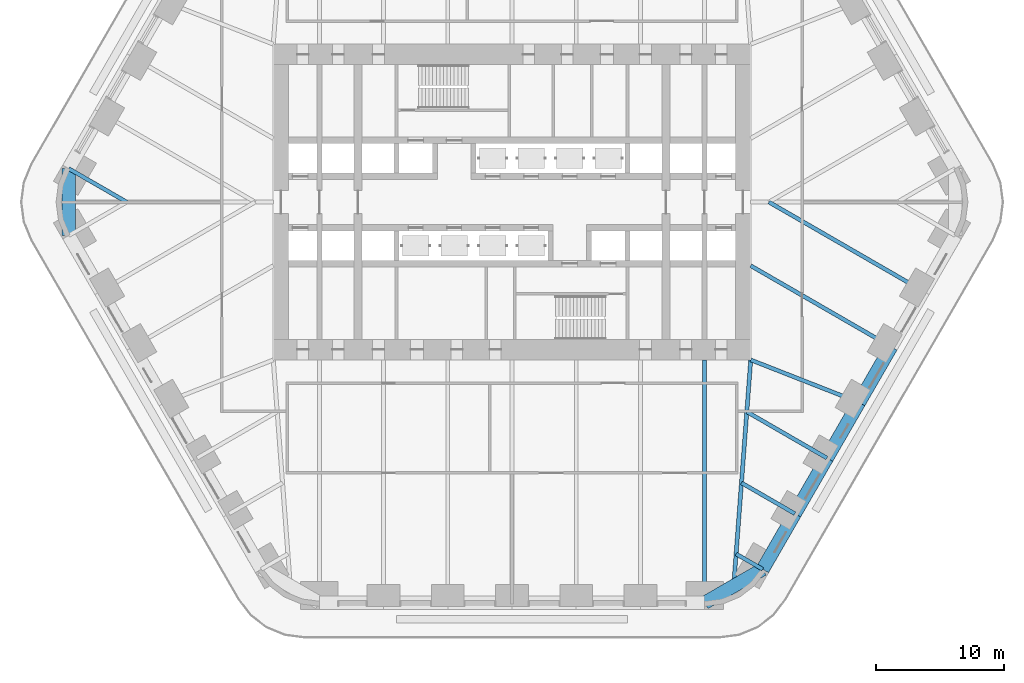
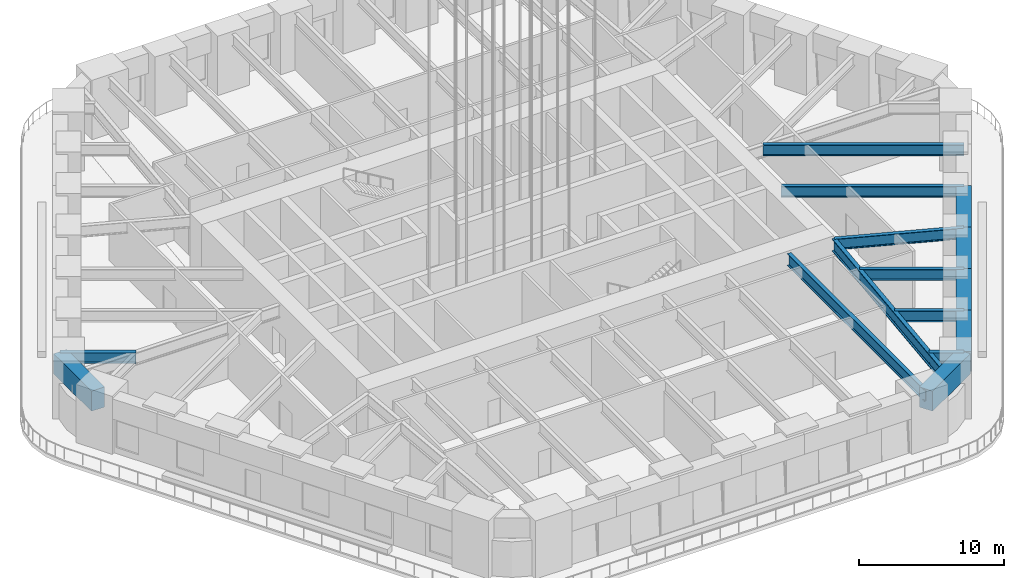
# One storey, part 3 of 15: 15 beams.
"""IFC4 building model written with IfcOpenShell, lengths in metres."""

from ifc_helpers import new_model, si_unit, direction, frame, origin, origin_2d, place, context, subcontext, project, spatial, rectangle, i_section, extrude, material, material_profile, profile_set, type_object, element, save


model = new_model("IFC4")

# Units and contexts
model_context = context("Model", 3, precision=1e-05, world=origin(), true_north=direction((0.0, 1.0)))
body_context = subcontext(model_context, "Body", "Model", "MODEL_VIEW")
ifc_project = project(units=[si_unit("LENGTHUNIT", "METRE"), si_unit("AREAUNIT", "SQUARE_METRE"), si_unit("VOLUMEUNIT", "CUBIC_METRE"), si_unit("PLANEANGLEUNIT", "RADIAN"), si_unit("MASSUNIT", "GRAM", prefix="KILO")], contexts=[model_context])

# Site, building, storey
site_placement = place(None, origin())
site = spatial("IfcSite", under=ifc_project, at=site_placement, CompositionType="ELEMENT")
building_placement = place(site_placement, origin())
building = spatial("IfcBuilding", under=site, at=building_placement, Name="Tarfa Lantern Tower", CompositionType="ELEMENT")
storey_placement = place(building_placement, frame((0.0, 0.0, 114.5)))
storey = spatial("IfcBuildingStorey", under=building, at=storey_placement, Name="L25", CompositionType="ELEMENT", Elevation=114.5)

# Beams
ifc_material_1 = material(Name="Concrete C80/95", Category="concrete")
ifc_material_profile_1 = material_profile(ifc_material_1, rectangle(XDim=1.050048828125, YDim=1.699951171875, at=origin_2d()), Name="RC 1050x1700")
ifc_profile_set_1 = profile_set([ifc_material_profile_1], Name="Concrete C80/95")
beam_type_1 = type_object("IfcBeamType", Name="RB2 RC 1050x1700", PredefinedType="BEAM", material=ifc_profile_set_1)
beam_1_placement = place(storey_placement, frame((-34.54296875, 2.610107421875, 3.949951171875), z_axis=(0.0, -1.0, 0.0), x_axis=(1.0, 0.0, 0.0)))
element("IfcBeam", 1, at=beam_1_placement, inside=storey, type_object=beam_type_1, Name="Edge beam NW6", PredefinedType="BEAM", context=body_context, shape_type="SweptSolid", body=[
    extrude(rectangle(XDim=1.050048828125, YDim=1.699951171875, at=origin_2d()), origin(), (0.0, 0.0, 1.0), 5.22021484375),
])
beam_2_placement = place(storey_placement, frame((15.010986328125, -31.219970703125, 3.949951171875), z_axis=(0.86604150238, 0.499972115377, 0.0), x_axis=(-0.499972115377, 0.86604150238, 0.0)))
element("IfcBeam", 2, at=beam_2_placement, inside=storey, type_object=beam_type_1, Name="Edge beam S6", PredefinedType="BEAM", context=body_context, shape_type="SweptSolid", body=[
    extrude(rectangle(XDim=1.050048828125, YDim=1.699951171875, at=origin_2d()), origin(), (0.0, 0.0, 1.0), 5.219970703125),
])
beam_3_placement = place(storey_placement, frame((19.53173828125, -28.610107421875, 3.949951171875), z_axis=(0.500001197378, 0.866024712477, 0.0), x_axis=(-0.866024712477, 0.500001197378, 0.0)))
element("IfcBeam", 3, at=beam_3_placement, inside=storey, type_object=beam_type_1, Name="Edge beam SE0", PredefinedType="BEAM", context=body_context, shape_type="SweptSolid", body=[
    extrude(rectangle(XDim=1.050048828125, YDim=1.699951171875, at=origin_2d()), origin(), (0.0, 0.0, 1.0), 5.00390625),
])
for number, where, z_axis, x_axis, name in (
    (4, (22.03369140625, -24.276611328125, 3.949951171875), (0.49998573051, 0.866033642122, 0.0), (-0.866033642122, 0.49998573051, 0.0), "Edge beam SE1"),
    (5, (24.535400390625, -19.943359375, 3.949951171875), (0.500022324899, 0.866012514114, 0.0), (-0.866012514114, 0.500022324899, 0.0), "Edge beam SE2"),
    (6, (27.037353515625, -15.610107421875, 3.949951171875), (0.499964603504, 0.866045838996, 0.0), (-0.866045838996, 0.499964603504, 0.0), "Edge beam SE3"),
):
    element("IfcBeam", number, at=place(storey_placement, frame(where, z_axis=z_axis, x_axis=x_axis)), inside=storey, type_object=beam_type_1, Name=name, PredefinedType="BEAM", context=body_context, shape_type="SweptSolid", body=[
        extrude(rectangle(XDim=1.050048828125, YDim=1.699951171875, at=origin_2d()), origin(), (0.0, 0.0, 1.0), 5.003662109375),
    ])
ifc_material_2 = material(Name="Steel S460M", Category="steel")
ifc_material_profile_2 = material_profile(ifc_material_2, i_section(OverallWidth=0.302001953125, OverallDepth=1.008056640625, WebThickness=0.02099609375, FlangeThickness=0.0400390625, FilletRadius=0.030029296875, at=origin_2d()), Name="UB1016x305x349")
ifc_profile_set_2 = profile_set([ifc_material_profile_2], Name="Steel S460M")
beam_type_2 = type_object("IfcBeamType", Name="UB1016x305x349", PredefinedType="BEAM", material=ifc_profile_set_2)
beam_4_placement = place(storey_placement, frame((15.010986328125, -31.219970703125, 4.2958984375), z_axis=(0.0, 1.0, 0.0), x_axis=(-1.0, 0.0, 0.0)))
element("IfcBeam", 7, at=beam_4_placement, inside=storey, type_object=beam_type_2, Name="Floor beam S6", PredefinedType="BEAM", context=body_context, shape_type="SweptSolid", body=[
    extrude(i_section(OverallWidth=0.302001953125, OverallDepth=1.008056640625, WebThickness=0.02099609375, FlangeThickness=0.0400390625, FilletRadius=0.030029296875, at=origin_2d()), origin(), (0.0, 0.0, 1.0), 18.919921875),
])
ifc_material_profile_3 = material_profile(ifc_material_2, i_section(OverallWidth=0.314208984375, OverallDepth=1.055908203125, WebThickness=0.035888671875, FlangeThickness=0.06396484375, FilletRadius=0.030029296875, at=origin_2d()), Name="UB1016x305x584")
ifc_profile_set_3 = profile_set([ifc_material_profile_3], Name="Steel S460M")
beam_type_3 = type_object("IfcBeamType", Name="UB1016x305x584", PredefinedType="BEAM", material=ifc_profile_set_3)
beam_5_placement = place(storey_placement, frame((18.60009765625, -12.300048828125, 4.27197265625), z_axis=(-0.075211516041, -0.99716760269, 0.0), x_axis=(0.99716760269, -0.075211516041, 0.0)))
element("IfcBeam", 8, at=beam_5_placement, inside=storey, type_object=beam_type_3, Name="Hip girder SE", PredefinedType="BEAM", context=body_context, shape_type="SweptSolid", body=[
    extrude(i_section(OverallWidth=0.314208984375, OverallDepth=1.055908203125, WebThickness=0.035888671875, FlangeThickness=0.06396484375, FilletRadius=0.030029296875, at=origin_2d()), origin(), (0.0, 0.0, 1.0), 17.6650390625),
])
ifc_material_profile_4 = material_profile(ifc_material_2, i_section(OverallWidth=0.305419921875, OverallDepth=0.91845703125, WebThickness=0.017333984375, FlangeThickness=0.02783203125, FilletRadius=0.01904296875, at=origin_2d()), Name="UB914x305x253")
ifc_profile_set_4 = profile_set([ifc_material_profile_4], Name="Steel S460M")
beam_type_4 = type_object("IfcBeamType", Name="UB914x305x253", PredefinedType="BEAM", material=ifc_profile_set_4)
beam_6_placement = place(storey_placement, frame((-34.54296875, 2.610107421875, 4.3408203125), z_axis=(0.866021250859, -0.500007193008, 0.0), x_axis=(0.500007193008, 0.866021250859, 0.0)))
element("IfcBeam", 9, at=beam_6_placement, inside=storey, type_object=beam_type_4, Name="Floor beam NW6", PredefinedType="BEAM", context=body_context, shape_type="SweptSolid", body=[
    extrude(i_section(OverallWidth=0.305419921875, OverallDepth=0.91845703125, WebThickness=0.017333984375, FlangeThickness=0.02783203125, FilletRadius=0.01904296875, at=origin_2d()), origin(), (0.0, 0.0, 1.0), 5.22021484375),
])
beam_7_placement = place(storey_placement, frame((19.53173828125, -28.610107421875, 4.3408203125), z_axis=(-0.865998640954, 0.500046351717, 0.0), x_axis=(-0.500046351717, -0.865998640954, 0.0)))
element("IfcBeam", 10, at=beam_7_placement, inside=storey, type_object=beam_type_4, Name="Floor beam SE0", PredefinedType="BEAM", context=body_context, shape_type="SweptSolid", body=[
    extrude(i_section(OverallWidth=0.305419921875, OverallDepth=0.91845703125, WebThickness=0.017333984375, FlangeThickness=0.02783203125, FilletRadius=0.01904296875, at=origin_2d()), origin(), (0.0, 0.0, 1.0), 2.392333984375),
])
beam_8_placement = place(storey_placement, frame((22.03369140625, -24.276611328125, 4.3408203125), z_axis=(-0.866030550462, 0.499991085587, 0.0), x_axis=(-0.499991085587, -0.866030550462, 0.0)))
element("IfcBeam", 11, at=beam_8_placement, inside=storey, type_object=beam_type_4, Name="Floor beam SE1", PredefinedType="BEAM", context=body_context, shape_type="SweptSolid", body=[
    extrude(i_section(OverallWidth=0.305419921875, OverallDepth=0.91845703125, WebThickness=0.017333984375, FlangeThickness=0.02783203125, FilletRadius=0.01904296875, at=origin_2d()), origin(), (0.0, 0.0, 1.0), 4.798828125),
])
beam_9_placement = place(storey_placement, frame((24.535400390625, -19.943359375, 4.3408203125), z_axis=(-0.86602647304, 0.499998147991, 0.0), x_axis=(-0.499998147991, -0.86602647304, 0.0)))
element("IfcBeam", 12, at=beam_9_placement, inside=storey, type_object=beam_type_4, Name="Floor beam SE2", PredefinedType="BEAM", context=body_context, shape_type="SweptSolid", body=[
    extrude(i_section(OverallWidth=0.305419921875, OverallDepth=0.91845703125, WebThickness=0.017333984375, FlangeThickness=0.02783203125, FilletRadius=0.01904296875, at=origin_2d()), origin(), (0.0, 0.0, 1.0), 7.20556640625),
])
beam_10_placement = place(storey_placement, frame((27.037353515625, -15.610107421875, 4.3408203125), z_axis=(-0.930923282782, 0.365214788274, 0.0), x_axis=(-0.365214788274, -0.930923282782, 0.0)))
element("IfcBeam", 13, at=beam_10_placement, inside=storey, type_object=beam_type_4, Name="Floor beam SE3", PredefinedType="BEAM", context=body_context, shape_type="SweptSolid", body=[
    extrude(i_section(OverallWidth=0.305419921875, OverallDepth=0.91845703125, WebThickness=0.017333984375, FlangeThickness=0.02783203125, FilletRadius=0.01904296875, at=origin_2d()), origin(), (0.0, 0.0, 1.0), 9.063232421875),
])
beam_11_placement = place(storey_placement, frame((29.5390625, -11.276611328125, 4.3408203125), z_axis=(-0.866023362995, 0.500003534735, 0.0), x_axis=(-0.500003534735, -0.866023362995, 0.0)))
element("IfcBeam", 14, at=beam_11_placement, inside=storey, type_object=beam_type_4, Name="Floor beam SE4", PredefinedType="BEAM", context=body_context, shape_type="SweptSolid", body=[
    extrude(i_section(OverallWidth=0.305419921875, OverallDepth=0.91845703125, WebThickness=0.017333984375, FlangeThickness=0.02783203125, FilletRadius=0.01904296875, at=origin_2d()), origin(), (0.0, 0.0, 1.0), 12.63134765625),
])
beam_12_placement = place(storey_placement, frame((32.041015625, -6.943359375, 4.3408203125), z_axis=(-0.866023096411, 0.500003996466, 0.0), x_axis=(-0.500003996466, -0.866023096411, 0.0)))
element("IfcBeam", 15, at=beam_12_placement, inside=storey, type_object=beam_type_4, Name="Floor beam SE5", PredefinedType="BEAM", context=body_context, shape_type="SweptSolid", body=[
    extrude(i_section(OverallWidth=0.305419921875, OverallDepth=0.91845703125, WebThickness=0.017333984375, FlangeThickness=0.02783203125, FilletRadius=0.01904296875, at=origin_2d()), origin(), (0.0, 0.0, 1.0), 13.88671875),
])

save(model, "model.ifc")
